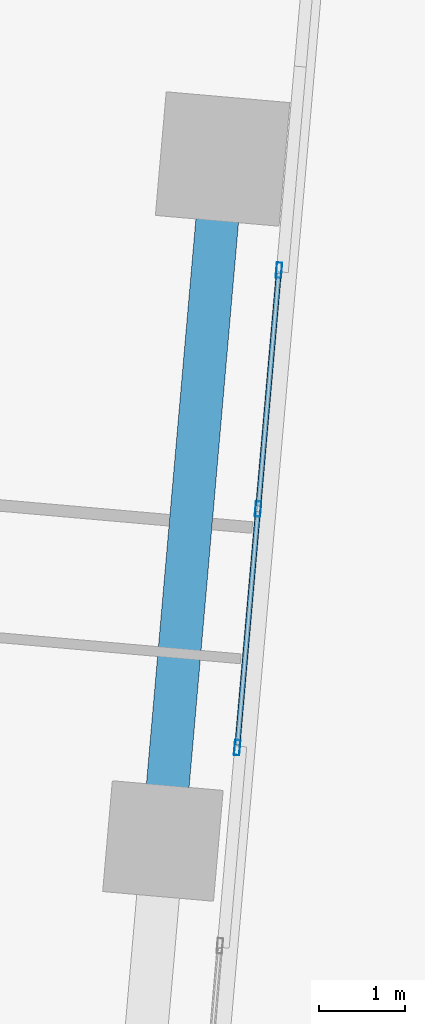
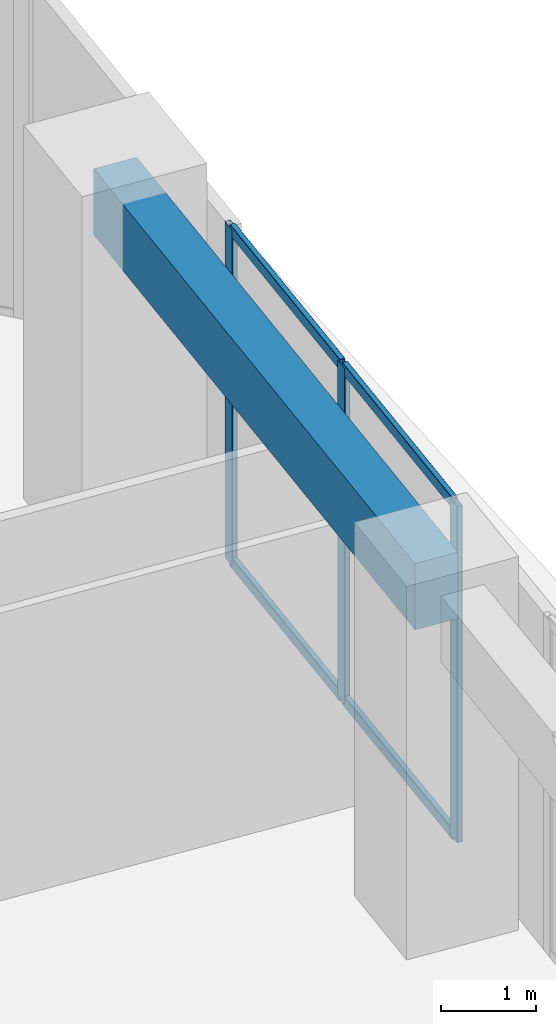
# One storey, part 12 of 24: 7 members, 1 beam, 1 element without a shape of its own.
"""IFC4 building model written with IfcOpenShell, lengths in metres."""

from ifc_helpers import new_model, si_unit, direction, frame, origin, origin_2d, place, context, subcontext, project, spatial, rectangle, hollow_rectangle, extrude, source, transform, mapped, material, material_profile, profile_set, type_object, element, aggregate, save


model = new_model("IFC4")

# Units and contexts
model_context = context("Model", 3, precision=1e-05, world=origin(), true_north=direction((0.0, 1.0)))
body_context = subcontext(model_context, "Body", "Model", "MODEL_VIEW")
ifc_project = project(units=[si_unit("LENGTHUNIT", "METRE"), si_unit("AREAUNIT", "SQUARE_METRE"), si_unit("VOLUMEUNIT", "CUBIC_METRE"), si_unit("PLANEANGLEUNIT", "RADIAN"), si_unit("MASSUNIT", "GRAM", prefix="KILO")], contexts=[model_context])

# Site, building, storey
site_placement = place(None, origin())
site = spatial("IfcSite", under=ifc_project, at=site_placement, CompositionType="ELEMENT")
building_placement = place(site_placement, origin())
building = spatial("IfcBuilding", under=site, at=building_placement, Name="Torre Montelarca", CompositionType="ELEMENT")
storey_placement = place(building_placement, frame((0.0, 0.0, 47.199951171875)))
storey = spatial("IfcBuildingStorey", under=building, at=storey_placement, Name="L10", CompositionType="ELEMENT", Elevation=47.199951171875)

# Beam
ifc_material_1 = material(Name="Concrete C55/67", Category="concrete")
ifc_material_profile_1 = material_profile(ifc_material_1, rectangle(XDim=0.5, YDim=0.85009765625, at=origin_2d()), Name="RCB500X850", Category="concrete")
ifc_profile_set_1 = profile_set([ifc_material_profile_1], Name="Concrete C55/67")
beam_type = type_object("IfcBeamType", Name="BM-SP-RC850-EXT", PredefinedType="SPANDREL", material=ifc_profile_set_1)
shared_shape_1 = source(origin(), body_context, "Body", "SweptSolid", [
    extrude(rectangle(XDim=0.5, YDim=0.85009765625, at=origin_2d()), origin(), (0.0, 0.0, 1.0), 8.0),
])
beam_placement = place(storey_placement, frame((59.853515625, 28.64453125, 4.135009765625), z_axis=(0.087159000208, 0.996194413095, 0.0), x_axis=(-0.996194413095, 0.087159000208, 0.0)))
element("IfcBeam", 1, at=beam_placement, inside=storey, type_object=beam_type, Name="L10 Grid Girder Y 32.0-40.0 at X=60.0", PredefinedType="SPANDREL", context=body_context, shape_type="MappedRepresentation", body=[
    mapped(shared_shape_1, transform((0.0, 0.0, 0.0), scale=1.0)),
])

# Curtain wall, members
ifc_material_2 = material(Name="Insulated low-E laminated glass", Category="glass")
curtain_wall_type = type_object("IfcCurtainWallType", Name="CW-SYS-Z1", PredefinedType="USERDEFINED", material=ifc_material_2)
curtain_wall_placement = place(storey_placement, origin())
curtain_wall = element("IfcCurtainWall", 2, at=curtain_wall_placement, inside=storey, type_object=curtain_wall_type, Name="L10 Curtain Wall Run CW-T3-L10-E06-B2", ObjectType="UNITISED GLAZING", PredefinedType="USERDEFINED")
ifc_material_3 = material(Name="Anodised aluminium AA 6063-T6", Category="aluminium")
ifc_material_profile_2 = material_profile(ifc_material_3, hollow_rectangle(XDim=0.06494140625, YDim=0.179931640625, WallThickness=0.00390625, InnerFilletRadius=0.00390625, OuterFilletRadius=0.008056640625, at=origin_2d()), Name="ALU65X180X4", Category="aluminium")
ifc_profile_set_2 = profile_set([ifc_material_profile_2], Name="Anodised aluminium AA 6063-T6")
member_type_1 = type_object("IfcMemberType", Name="CWM-ALU180", PredefinedType="MULLION", material=ifc_profile_set_2)
shared_shape_2 = source(origin(), body_context, "Body", "SweptSolid", [
    extrude(hollow_rectangle(XDim=0.06494140625, YDim=0.179931640625, WallThickness=0.00390625, InnerFilletRadius=0.00390625, OuterFilletRadius=0.008056640625, at=origin_2d()), origin(), (0.0, 0.0, 1.0), 4.320068359375),
])
member_1_placement = place(storey_placement, frame((60.721923828125, 29.735595703125, 0.0), z_axis=(0.0, 0.0, 1.0), x_axis=(-0.996193813297, 0.087165855403, 0.0)))
member_1 = element("IfcMember", 3, at=member_1_placement, type_object=member_type_1, Name="CW mullion 1", PredefinedType="MULLION", context=body_context, shape_type="MappedRepresentation", body=[
    mapped(shared_shape_2, transform((0.0, 0.0, 0.0), scale=1.0)),
])
member_2_placement = place(storey_placement, frame((60.9658203125, 32.52490234375, 0.0), z_axis=(0.0, 0.0, 1.0), x_axis=(-0.996193813297, 0.087165855403, 0.0)))
member_2 = element("IfcMember", 4, at=member_2_placement, type_object=member_type_1, Name="CW mullion 2", PredefinedType="MULLION", context=body_context, shape_type="MappedRepresentation", body=[
    mapped(shared_shape_2, transform((0.0, 0.0, 0.0), scale=1.0)),
])
member_3_placement = place(storey_placement, frame((61.2099609375, 35.314208984375, 0.0), z_axis=(0.0, 0.0, 1.0), x_axis=(-0.996193813297, 0.087165855403, 0.0)))
member_3 = element("IfcMember", 5, at=member_3_placement, type_object=member_type_1, Name="CW mullion 3", PredefinedType="MULLION", context=body_context, shape_type="MappedRepresentation", body=[
    mapped(shared_shape_2, transform((0.0, 0.0, 0.0), scale=1.0)),
])
ifc_material_profile_3 = material_profile(ifc_material_3, hollow_rectangle(XDim=0.06494140625, YDim=0.139892578125, WallThickness=0.00390625, InnerFilletRadius=0.00390625, OuterFilletRadius=0.008056640625, at=origin_2d()), Name="ALU65X140X4", Category="aluminium")
ifc_profile_set_3 = profile_set([ifc_material_profile_3], Name="Anodised aluminium AA 6063-T6")
member_type_2 = type_object("IfcMemberType", Name="CWT-ALU140", PredefinedType="USERDEFINED", material=ifc_profile_set_3)
shared_shape_3 = source(origin(), body_context, "Body", "SweptSolid", [
    extrude(hollow_rectangle(XDim=0.06494140625, YDim=0.139892578125, WallThickness=0.00390625, InnerFilletRadius=0.00390625, OuterFilletRadius=0.008056640625, at=origin_2d()), origin(), (0.0, 0.0, 1.0), 2.735107421875),
])
member_4_placement = place(storey_placement, frame((60.724609375, 29.767822265625, 0.032470703125), z_axis=(0.087211243237, 0.99618984087, 0.0), x_axis=(-0.99618984087, 0.087211243237, 0.0)))
member_4 = element("IfcMember", 6, at=member_4_placement, type_object=member_type_2, Name="CW transom 1.1", ObjectType="TRANSOM", PredefinedType="USERDEFINED", context=body_context, shape_type="MappedRepresentation", body=[
    mapped(shared_shape_3, transform((0.0, 0.0, 0.0), scale=1.0)),
])
member_5_placement = place(storey_placement, frame((60.724609375, 29.767822265625, 4.28759765625), z_axis=(0.087211243237, 0.99618984087, 0.0), x_axis=(-0.99618984087, 0.087211243237, 0.0)))
member_5 = element("IfcMember", 7, at=member_5_placement, type_object=member_type_2, Name="CW transom 1.2", ObjectType="TRANSOM", PredefinedType="USERDEFINED", context=body_context, shape_type="MappedRepresentation", body=[
    mapped(shared_shape_3, transform((0.0, 0.0, 0.0), scale=1.0)),
])
member_6_placement = place(storey_placement, frame((60.96875, 32.55712890625, 0.032470703125), z_axis=(0.087122656807, 0.996197592183, 0.0), x_axis=(-0.996197592183, 0.087122656807, 0.0)))
member_6 = element("IfcMember", 8, at=member_6_placement, type_object=member_type_2, Name="CW transom 2.1", ObjectType="TRANSOM", PredefinedType="USERDEFINED", context=body_context, shape_type="MappedRepresentation", body=[
    mapped(shared_shape_3, transform((0.0, 0.0, 0.0), scale=1.0)),
])
member_7_placement = place(storey_placement, frame((60.96875, 32.55712890625, 4.28759765625), z_axis=(0.087122656807, 0.996197592183, 0.0), x_axis=(-0.996197592183, 0.087122656807, 0.0)))
member_7 = element("IfcMember", 9, at=member_7_placement, type_object=member_type_2, Name="CW transom 2.2", ObjectType="TRANSOM", PredefinedType="USERDEFINED", context=body_context, shape_type="MappedRepresentation", body=[
    mapped(shared_shape_3, transform((0.0, 0.0, 0.0), scale=1.0)),
])
aggregate(curtain_wall, [member_1, member_2, member_3, member_4, member_5, member_6, member_7])

save(model, "model.ifc")
